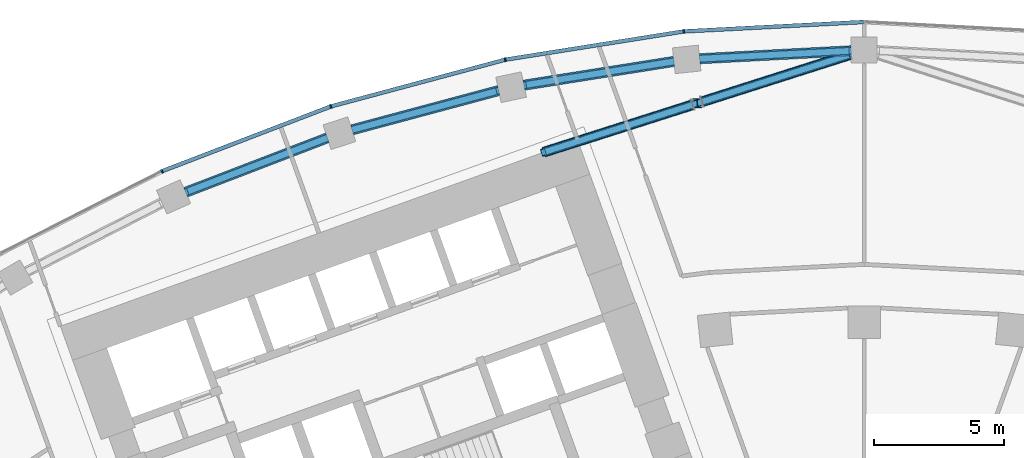
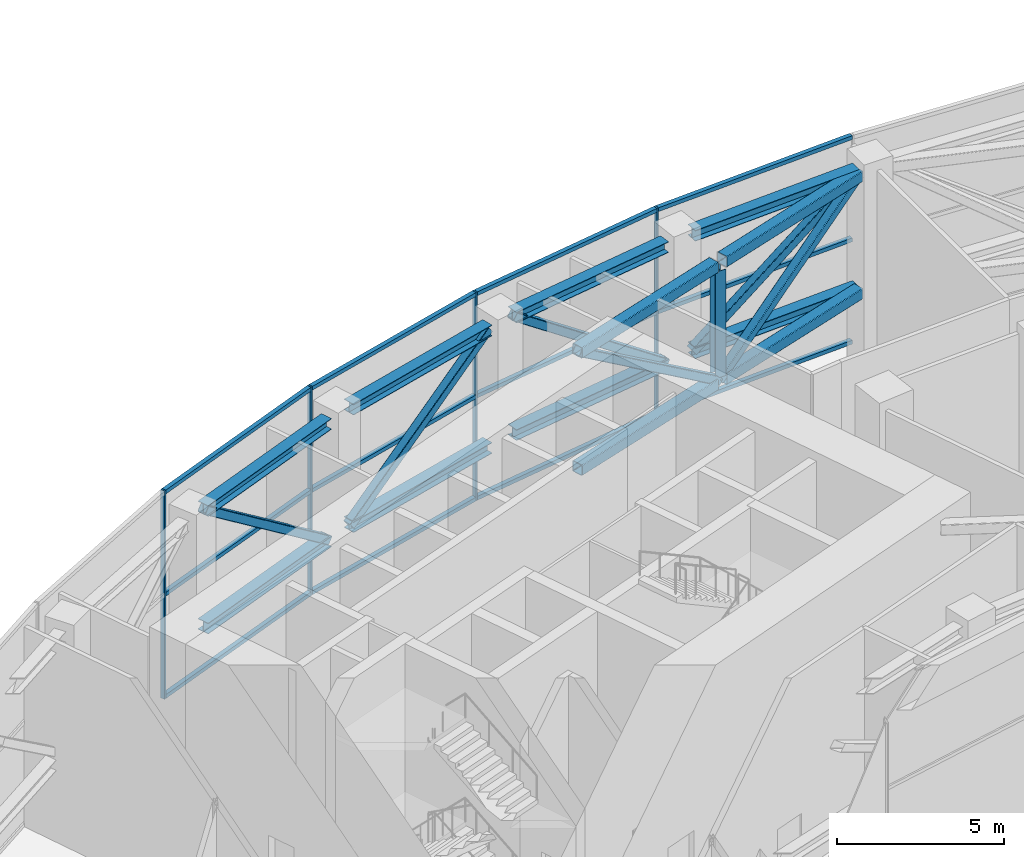
# One storey, part 7 of 32: 35 members, 1 element without a shape of its own.
"""IFC4 building model written with IfcOpenShell, lengths in metres."""

from ifc_helpers import new_model, si_unit, direction, frame, origin, origin_2d, place, context, subcontext, project, spatial, rectangle, hollow_rectangle, i_section, extrude, material, layer, layer_set, material_profile, profile_set, type_object, element, aggregate, save


model = new_model("IFC4")

# Units and contexts
model_context = context("Model", 3, precision=1e-05, world=origin(), true_north=direction((0.0, 1.0)))
body_context = subcontext(model_context, "Body", "Model", "MODEL_VIEW")
ifc_project = project(units=[si_unit("LENGTHUNIT", "METRE"), si_unit("AREAUNIT", "SQUARE_METRE"), si_unit("VOLUMEUNIT", "CUBIC_METRE"), si_unit("PLANEANGLEUNIT", "RADIAN"), si_unit("MASSUNIT", "GRAM", prefix="KILO")], contexts=[model_context])

# Site, building, storey
site_placement = place(None, origin())
site = spatial("IfcSite", under=ifc_project, at=site_placement, CompositionType="ELEMENT")
building_placement = place(site_placement, origin())
building = spatial("IfcBuilding", under=site, at=building_placement, Name="Stone Belt Terrace Tower", CompositionType="ELEMENT")
storey_placement = place(building_placement, frame((0.0, 0.0, 193.39990234375)))
storey = spatial("IfcBuildingStorey", under=building, at=storey_placement, Name="L47", CompositionType="ELEMENT", Elevation=193.39990234375)

# Members
ifc_material_1 = material(Name="Structural steel C345", Category="steel")
ifc_material_profile_1 = material_profile(ifc_material_1, i_section(OverallWidth=0.39794921875, OverallDepth=0.39404296875, WebThickness=0.010986328125, FlangeThickness=0.01806640625, at=origin_2d()), Name="I 40K1")
ifc_profile_set_1 = profile_set([ifc_material_profile_1], Name="Structural steel C345")
member_type_1 = type_object("IfcMemberType", Name="Belt chord I 40K1", PredefinedType="CHORD", material=ifc_profile_set_1)
for number, where, z_axis, x_axis, name in (
    (1, (-26.169189453125, 60.006591796875, 7.0830078125), (0.933580826938, 0.35836690636, 0.0), (-0.35836690636, 0.933580826938, 0.0), "Belt truss T3 ring R top chord 5"),
    (2, (-26.169189453125, 60.006591796875, 2.797119140625), (0.933580826938, 0.35836690636, 0.0), (-0.35836690636, 0.933580826938, 0.0), "Belt truss T3 ring R bot chord 5"),
    (3, (-19.75341796875, 62.4130859375, 7.0830078125), (0.965917143819, 0.258851446349, 0.0), (-0.258851446349, 0.965917143819, 0.0), "Belt truss T3 ring R top chord 6"),
    (4, (-19.75341796875, 62.4130859375, 2.797119140625), (0.965917143819, 0.258851446349, 0.0), (-0.258851446349, 0.965917143819, 0.0), "Belt truss T3 ring R bot chord 6"),
    (5, (-13.121337890625, 64.135986328125, 7.0830078125), (0.987685398808, 0.156453037624, 0.0), (-0.156453037624, 0.987685398808, 0.0), "Belt truss T3 ring R top chord 7"),
    (6, (-13.121337890625, 64.135986328125, 2.797119140625), (0.987685398808, 0.156453037624, 0.0), (-0.156453037624, 0.987685398808, 0.0), "Belt truss T3 ring R bot chord 7"),
):
    element("IfcMember", number, at=place(storey_placement, frame(where, z_axis=z_axis, x_axis=x_axis)), inside=storey, type_object=member_type_1, Name=name, PredefinedType="CHORD", context=body_context, shape_type="SweptSolid", body=[
        extrude(i_section(OverallWidth=0.39794921875, OverallDepth=0.39404296875, WebThickness=0.010986328125, FlangeThickness=0.01806640625, at=origin_2d()), origin(), (0.0, 0.0, 1.0), 5.853271484375),
    ])
for number, where, z_axis, x_axis, name in (
    (7, (-6.345458984375, 65.15625, 7.0830078125), (0.998629097568, 0.0523442976, 0.0), (-0.0523442976, 0.998629097568, 0.0), "Belt truss T3 ring R top chord 8"),
    (8, (-6.345458984375, 65.15625, 2.797119140625), (0.998629097568, 0.0523442976, 0.0), (-0.0523442976, 0.998629097568, 0.0), "Belt truss T3 ring R bot chord 8"),
):
    element("IfcMember", number, at=place(storey_placement, frame(where, z_axis=z_axis, x_axis=x_axis)), inside=storey, type_object=member_type_1, Name=name, PredefinedType="CHORD", context=body_context, shape_type="SweptSolid", body=[
        extrude(i_section(OverallWidth=0.39794921875, OverallDepth=0.39404296875, WebThickness=0.010986328125, FlangeThickness=0.01806640625, at=origin_2d()), origin(), (0.0, 0.0, 1.0), 5.853515625),
    ])
ifc_material_profile_2 = material_profile(ifc_material_1, hollow_rectangle(XDim=0.300048828125, YDim=0.300048828125, WallThickness=0.011962890625, InnerFilletRadius=0.02392578125, OuterFilletRadius=0.035888671875, at=origin_2d()), Name="SHS 300x300x12")
ifc_profile_set_2 = profile_set([ifc_material_profile_2], Name="Structural steel C345")
member_type_2 = type_object("IfcMemberType", Name="Belt diagonal SHS 300x300x12", PredefinedType="BRACE", material=ifc_profile_set_2)
for number, where, z_axis, x_axis, name in (
    (9, (-26.169189453125, 60.006591796875, 7.0830078125), (0.753248273768, 0.289143956048, -0.590773061967), (-0.35836690636, 0.933580826938, 0.0), "Belt truss T3 ring R diagonal 5"),
    (10, (-19.75341796875, 62.4130859375, 2.797119140625), (0.779335181672, 0.208850252071, 0.590777662762), (-0.258851446349, 0.965917143819, 0.0), "Belt truss T3 ring R diagonal 6"),
    (11, (-13.121337890625, 64.135986328125, 7.0830078125), (0.79689976859, 0.126231884797, -0.590775989764), (-0.156453037624, 0.987685398808, 0.0), "Belt truss T3 ring R diagonal 7"),
):
    element("IfcMember", number, at=place(storey_placement, frame(where, z_axis=z_axis, x_axis=x_axis)), inside=storey, type_object=member_type_2, Name=name, PredefinedType="BRACE", context=body_context, shape_type="SweptSolid", body=[
        extrude(hollow_rectangle(XDim=0.300048828125, YDim=0.300048828125, WallThickness=0.011962890625, InnerFilletRadius=0.02392578125, OuterFilletRadius=0.035888671875, at=origin_2d()), origin(), (0.0, 0.0, 1.0), 7.254638671875),
    ])
member_1_placement = place(storey_placement, frame((-6.345458984375, 65.15625, 2.797119140625), z_axis=(0.805736841679, 0.042233627211, 0.590765996562), x_axis=(-0.0523442976, 0.998629097568, 0.0)))
element("IfcMember", 12, at=member_1_placement, inside=storey, type_object=member_type_2, Name="Belt truss T3 ring R diagonal 8", PredefinedType="BRACE", context=body_context, shape_type="SweptSolid", body=[
    extrude(hollow_rectangle(XDim=0.300048828125, YDim=0.300048828125, WallThickness=0.011962890625, InnerFilletRadius=0.02392578125, OuterFilletRadius=0.035888671875, at=origin_2d()), origin(), (0.0, 0.0, 1.0), 7.2548828125),
])

# Curtain wall, members
ifc_material_2 = material(Name="Aluminium 6063-T6 anodised frame", Category="aluminium")
ifc_layer = layer(ifc_material_2, 0.14990234375)
ifc_layer_set = layer_set([ifc_layer], Name="CW-A unitised convex-face curtain wall")
curtain_wall_type = type_object("IfcCurtainWallType", Name="CW-A unitised convex-face curtain wall", PredefinedType="NOTDEFINED", material=ifc_layer_set)
curtain_wall_placement = place(storey_placement, origin())
curtain_wall = element("IfcCurtainWall", 13, at=curtain_wall_placement, inside=storey, type_object=curtain_wall_type, Name="CW-A convex face L47", PredefinedType="NOTDEFINED")
ifc_material_profile_3 = material_profile(ifc_material_2, rectangle(XDim=0.14990234375, YDim=0.06005859375, at=origin_2d()), Name="Aluminium 6063-T6 60x150")
ifc_profile_set_3 = profile_set([ifc_material_profile_3], Name="Aluminium 6063-T6 anodised frame")
member_type_3 = type_object("IfcMemberType", Name="CW-A mullion 60 x 150", PredefinedType="MULLION", material=ifc_profile_set_3)
member_2_placement = place(storey_placement, frame((-6.958984375, 66.21044921875, 0.0), z_axis=(0.0, 0.0, 1.0), x_axis=(0.104528463268, -0.994521895368, 0.0)))
member_2 = element("IfcMember", 14, at=member_2_placement, type_object=member_type_3, Name="CW-A mullion 10", PredefinedType="MULLION", context=body_context, shape_type="SweptSolid", body=[
    extrude(rectangle(XDim=0.14990234375, YDim=0.06005859375, at=origin_2d()), origin(), (0.0, 0.0, 1.0), 7.60009765625),
])
member_3_placement = place(storey_placement, frame((-13.841796875, 65.120361328125, 0.0), z_axis=(0.0, 0.0, 1.0), x_axis=(0.207911690818, -0.978147600734, 0.0)))
member_3 = element("IfcMember", 15, at=member_3_placement, type_object=member_type_3, Name="CW-A mullion 11", PredefinedType="MULLION", context=body_context, shape_type="SweptSolid", body=[
    extrude(rectangle(XDim=0.14990234375, YDim=0.06005859375, at=origin_2d()), origin(), (0.0, 0.0, 1.0), 7.60009765625),
])
member_4_placement = place(storey_placement, frame((-20.57275390625, 63.316650390625, 0.0), z_axis=(0.0, 0.0, 1.0), x_axis=(0.309016994375, -0.951056516295, 0.0)))
member_4 = element("IfcMember", 16, at=member_4_placement, type_object=member_type_3, Name="CW-A mullion 12", PredefinedType="MULLION", context=body_context, shape_type="SweptSolid", body=[
    extrude(rectangle(XDim=0.14990234375, YDim=0.06005859375, at=origin_2d()), origin(), (0.0, 0.0, 1.0), 7.60009765625),
])
member_5_placement = place(storey_placement, frame((-27.07861328125, 60.8193359375, 0.0), z_axis=(0.0, 0.0, 1.0), x_axis=(0.406736643076, -0.913545457643, 0.0)))
member_5 = element("IfcMember", 17, at=member_5_placement, type_object=member_type_3, Name="CW-A mullion 13", PredefinedType="MULLION", context=body_context, shape_type="SweptSolid", body=[
    extrude(rectangle(XDim=0.14990234375, YDim=0.06005859375, at=origin_2d()), origin(), (0.0, 0.0, 1.0), 7.60009765625),
])
ifc_material_profile_4 = material_profile(ifc_material_2, rectangle(XDim=0.14990234375, YDim=0.139892578125, at=origin_2d()), Name="Aluminium 6063-T6 150x140")
ifc_profile_set_4 = profile_set([ifc_material_profile_4], Name="Aluminium 6063-T6 anodised frame")
member_type_4 = type_object("IfcMemberType", Name="CW-A transom 140 x 150", PredefinedType="USERDEFINED", material=ifc_profile_set_4)
member_6_placement = place(storey_placement, frame((-0.033935546875, 66.5732421875, 0.070068359375), z_axis=(-0.998630019135, -0.052326712899, 0.0), x_axis=(0.052326712899, -0.998630019135, 0.0)))
member_6 = element("IfcMember", 18, at=member_6_placement, type_object=member_type_4, Name="CW-A transom 9.1", ObjectType="TRANSOM", PredefinedType="USERDEFINED", context=body_context, shape_type="SweptSolid", body=[
    extrude(rectangle(XDim=0.14990234375, YDim=0.139892578125, at=origin_2d()), origin(), (0.0, 0.0, 1.0), 6.900634765625),
])
member_7_placement = place(storey_placement, frame((-0.033935546875, 66.5732421875, 3.800048828125), z_axis=(-0.998630019135, -0.052326712899, 0.0), x_axis=(0.052326712899, -0.998630019135, 0.0)))
member_7 = element("IfcMember", 19, at=member_7_placement, type_object=member_type_4, Name="CW-A transom 9.2", ObjectType="TRANSOM", PredefinedType="USERDEFINED", context=body_context, shape_type="SweptSolid", body=[
    extrude(rectangle(XDim=0.14990234375, YDim=0.139892578125, at=origin_2d()), origin(), (0.0, 0.0, 1.0), 6.900634765625),
])
member_8_placement = place(storey_placement, frame((-0.033935546875, 66.5732421875, 7.530029296875), z_axis=(-0.998630019135, -0.052326712899, 0.0), x_axis=(0.052326712899, -0.998630019135, 0.0)))
member_8 = element("IfcMember", 20, at=member_8_placement, type_object=member_type_4, Name="CW-A transom 9.3", ObjectType="TRANSOM", PredefinedType="USERDEFINED", context=body_context, shape_type="SweptSolid", body=[
    extrude(rectangle(XDim=0.14990234375, YDim=0.139892578125, at=origin_2d()), origin(), (0.0, 0.0, 1.0), 6.900634765625),
])
member_9_placement = place(storey_placement, frame((-6.992431640625, 66.205078125, 0.070068359375), z_axis=(-0.987687120531, -0.156442168027, 0.0), x_axis=(0.156442168027, -0.987687120531, 0.0)))
member_9 = element("IfcMember", 21, at=member_9_placement, type_object=member_type_4, Name="CW-A transom 10.1", ObjectType="TRANSOM", PredefinedType="USERDEFINED", context=body_context, shape_type="SweptSolid", body=[
    extrude(rectangle(XDim=0.14990234375, YDim=0.139892578125, at=origin_2d()), origin(), (0.0, 0.0, 1.0), 6.90087890625),
])
member_10_placement = place(storey_placement, frame((-6.992431640625, 66.205078125, 3.800048828125), z_axis=(-0.987687120531, -0.156442168027, 0.0), x_axis=(0.156442168027, -0.987687120531, 0.0)))
member_10 = element("IfcMember", 22, at=member_10_placement, type_object=member_type_4, Name="CW-A transom 10.2", ObjectType="TRANSOM", PredefinedType="USERDEFINED", context=body_context, shape_type="SweptSolid", body=[
    extrude(rectangle(XDim=0.14990234375, YDim=0.139892578125, at=origin_2d()), origin(), (0.0, 0.0, 1.0), 6.90087890625),
])
member_11_placement = place(storey_placement, frame((-6.992431640625, 66.205078125, 7.530029296875), z_axis=(-0.987687120531, -0.156442168027, 0.0), x_axis=(0.156442168027, -0.987687120531, 0.0)))
member_11 = element("IfcMember", 23, at=member_11_placement, type_object=member_type_4, Name="CW-A transom 10.3", ObjectType="TRANSOM", PredefinedType="USERDEFINED", context=body_context, shape_type="SweptSolid", body=[
    extrude(rectangle(XDim=0.14990234375, YDim=0.139892578125, at=origin_2d()), origin(), (0.0, 0.0, 1.0), 6.90087890625),
])
member_12_placement = place(storey_placement, frame((-13.87451171875, 65.111572265625, 0.070068359375), z_axis=(-0.965921835863, -0.258833937117, 0.0), x_axis=(0.258833937117, -0.965921835863, 0.0)))
member_12 = element("IfcMember", 24, at=member_12_placement, type_object=member_type_4, Name="CW-A transom 11.1", ObjectType="TRANSOM", PredefinedType="USERDEFINED", context=body_context, shape_type="SweptSolid", body=[
    extrude(rectangle(XDim=0.14990234375, YDim=0.139892578125, at=origin_2d()), origin(), (0.0, 0.0, 1.0), 6.900634765625),
])
member_13_placement = place(storey_placement, frame((-13.87451171875, 65.111572265625, 3.800048828125), z_axis=(-0.965921835863, -0.258833937117, 0.0), x_axis=(0.258833937117, -0.965921835863, 0.0)))
member_13 = element("IfcMember", 25, at=member_13_placement, type_object=member_type_4, Name="CW-A transom 11.2", ObjectType="TRANSOM", PredefinedType="USERDEFINED", context=body_context, shape_type="SweptSolid", body=[
    extrude(rectangle(XDim=0.14990234375, YDim=0.139892578125, at=origin_2d()), origin(), (0.0, 0.0, 1.0), 6.900634765625),
])
member_14_placement = place(storey_placement, frame((-13.87451171875, 65.111572265625, 7.530029296875), z_axis=(-0.965921835863, -0.258833937117, 0.0), x_axis=(0.258833937117, -0.965921835863, 0.0)))
member_14 = element("IfcMember", 26, at=member_14_placement, type_object=member_type_4, Name="CW-A transom 11.3", ObjectType="TRANSOM", PredefinedType="USERDEFINED", context=body_context, shape_type="SweptSolid", body=[
    extrude(rectangle(XDim=0.14990234375, YDim=0.139892578125, at=origin_2d()), origin(), (0.0, 0.0, 1.0), 6.900634765625),
])
member_15_placement = place(storey_placement, frame((-20.6044921875, 63.304443359375, 0.070068359375), z_axis=(-0.933585210269, -0.358355487146, 0.0), x_axis=(0.358355487146, -0.933585210269, 0.0)))
member_15 = element("IfcMember", 27, at=member_15_placement, type_object=member_type_4, Name="CW-A transom 12.1", ObjectType="TRANSOM", PredefinedType="USERDEFINED", context=body_context, shape_type="SweptSolid", body=[
    extrude(rectangle(XDim=0.14990234375, YDim=0.139892578125, at=origin_2d()), origin(), (0.0, 0.0, 1.0), 6.900634765625),
])
member_16_placement = place(storey_placement, frame((-20.6044921875, 63.304443359375, 3.800048828125), z_axis=(-0.933585210269, -0.358355487146, 0.0), x_axis=(0.358355487146, -0.933585210269, 0.0)))
member_16 = element("IfcMember", 28, at=member_16_placement, type_object=member_type_4, Name="CW-A transom 12.2", ObjectType="TRANSOM", PredefinedType="USERDEFINED", context=body_context, shape_type="SweptSolid", body=[
    extrude(rectangle(XDim=0.14990234375, YDim=0.139892578125, at=origin_2d()), origin(), (0.0, 0.0, 1.0), 6.900634765625),
])
member_17_placement = place(storey_placement, frame((-20.6044921875, 63.304443359375, 7.530029296875), z_axis=(-0.933585210269, -0.358355487146, 0.0), x_axis=(0.358355487146, -0.933585210269, 0.0)))
member_17 = element("IfcMember", 29, at=member_17_placement, type_object=member_type_4, Name="CW-A transom 12.3", ObjectType="TRANSOM", PredefinedType="USERDEFINED", context=body_context, shape_type="SweptSolid", body=[
    extrude(rectangle(XDim=0.14990234375, YDim=0.139892578125, at=origin_2d()), origin(), (0.0, 0.0, 1.0), 6.900634765625),
])
aggregate(curtain_wall, [member_2, member_3, member_4, member_5, member_6, member_7, member_8, member_9, member_10, member_11, member_12, member_13, member_14, member_15, member_16, member_17])

# Members
ifc_material_profile_5 = material_profile(ifc_material_1, hollow_rectangle(XDim=0.39990234375, YDim=0.39990234375, WallThickness=0.01611328125, InnerFilletRadius=0.031982421875, OuterFilletRadius=0.048095703125, at=origin_2d()), Name="SHS 400x400x16")
ifc_profile_set_5 = profile_set([ifc_material_profile_5], Name="Structural steel C345")
member_type_5 = type_object("IfcMemberType", Name="Outrigger chord SHS 400x400x16", PredefinedType="CHORD", material=ifc_profile_set_5)
for number, where, z_axis, x_axis, name in (
    (30, (-0.5, 65.32958984375, 7.080078125), (-0.95279871986, -0.303602699977, 0.0), (0.303602699977, -0.95279871986, 0.0), "Outrigger T3 coreA-mid-R top chord 1"),
    (31, (-0.5, 65.32958984375, 2.800048828125), (-0.95279871986, -0.303602699977, 0.0), (0.303602699977, -0.95279871986, 0.0), "Outrigger T3 coreA-mid-R bot chord 1"),
    (32, (-6.621826171875, 63.37890625, 7.080078125), (-0.95279871986, -0.303602699977, 0.0), (0.303602699977, -0.95279871986, 0.0), "Outrigger T3 coreA-mid-R top chord 2"),
    (33, (-6.621826171875, 63.37890625, 2.800048828125), (-0.95279871986, -0.303602699977, 0.0), (0.303602699977, -0.95279871986, 0.0), "Outrigger T3 coreA-mid-R bot chord 2"),
):
    element("IfcMember", number, at=place(storey_placement, frame(where, z_axis=z_axis, x_axis=x_axis)), inside=storey, type_object=member_type_5, Name=name, PredefinedType="CHORD", context=body_context, shape_type="SweptSolid", body=[
        extrude(hollow_rectangle(XDim=0.39990234375, YDim=0.39990234375, WallThickness=0.01611328125, InnerFilletRadius=0.031982421875, OuterFilletRadius=0.048095703125, at=origin_2d()), origin(), (0.0, 0.0, 1.0), 6.03515625),
    ])
ifc_material_profile_6 = material_profile(ifc_material_1, hollow_rectangle(XDim=0.300048828125, YDim=0.300048828125, WallThickness=0.01611328125, InnerFilletRadius=0.031982421875, OuterFilletRadius=0.048095703125, at=origin_2d()), Name="SHS 300x300x16")
ifc_profile_set_6 = profile_set([ifc_material_profile_6], Name="Structural steel C345")
member_type_6 = type_object("IfcMemberType", Name="Outrigger diagonal SHS 300x300x16", PredefinedType="BRACE", material=ifc_profile_set_6)
for number, where, z_axis, x_axis, name in (
    (34, (-0.5, 65.32958984375, 7.080078125), (-0.785329173986, -0.250256249076, -0.566241907919), (0.303620936752, -0.952792908646, 0.0), "Outrigger T3 coreA-mid-R diagonal 1"),
    (35, (-6.43603515625, 63.43798828125, 2.800048828125), (-0.785335521581, -0.250225972102, 0.566246484694), (0.30358536159, -0.952804244443, 0.0), "Outrigger T3 coreA-mid-R diagonal 2"),
):
    element("IfcMember", number, at=place(storey_placement, frame(where, z_axis=z_axis, x_axis=x_axis)), inside=storey, type_object=member_type_6, Name=name, PredefinedType="BRACE", context=body_context, shape_type="SweptSolid", body=[
        extrude(hollow_rectangle(XDim=0.300048828125, YDim=0.300048828125, WallThickness=0.01611328125, InnerFilletRadius=0.031982421875, OuterFilletRadius=0.048095703125, at=origin_2d()), origin(), (0.0, 0.0, 1.0), 7.55859375),
    ])
ifc_material_profile_7 = material_profile(ifc_material_1, i_section(OverallWidth=0.35009765625, OverallDepth=0.35009765625, WebThickness=0.011962890625, FlangeThickness=0.01904296875, at=origin_2d()), Name="I 35K2")
ifc_profile_set_7 = profile_set([ifc_material_profile_7], Name="Structural steel C345")
member_type_7 = type_object("IfcMemberType", Name="Outrigger post I 35K2", PredefinedType="POST", material=ifc_profile_set_7)
member_18_placement = place(storey_placement, frame((-6.43603515625, 63.43798828125, 3.0), z_axis=(0.0, 0.0, 1.0), x_axis=(1.0, 0.0, 0.0)))
element("IfcMember", 36, at=member_18_placement, inside=storey, type_object=member_type_7, Name="Outrigger T3 coreA-mid-R post 1", PredefinedType="POST", context=body_context, shape_type="SweptSolid", body=[
    extrude(i_section(OverallWidth=0.35009765625, OverallDepth=0.35009765625, WebThickness=0.011962890625, FlangeThickness=0.01904296875, at=origin_2d()), origin(), (0.0, 0.0, 1.0), 3.880126953125),
])

save(model, "model.ifc")
